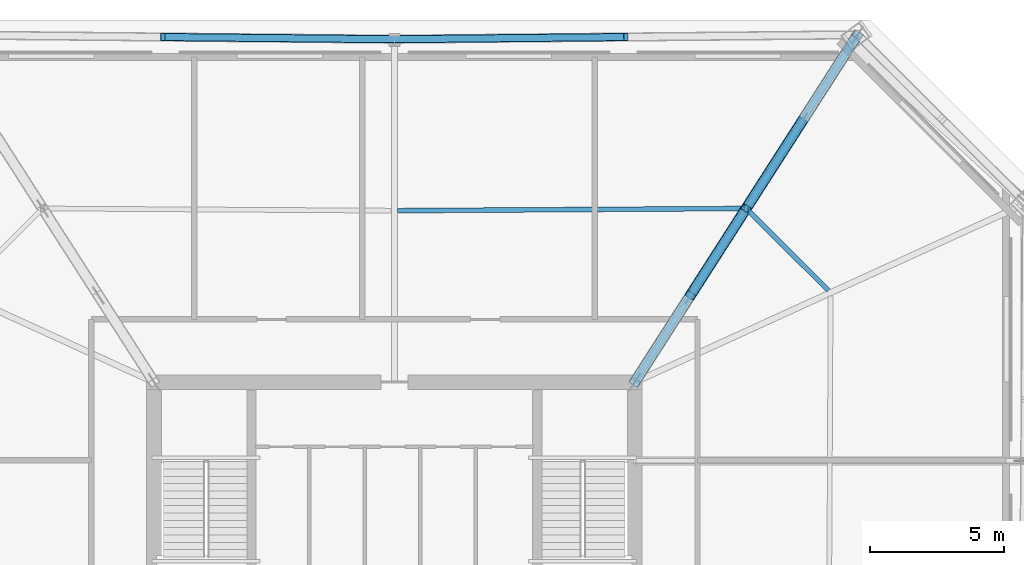
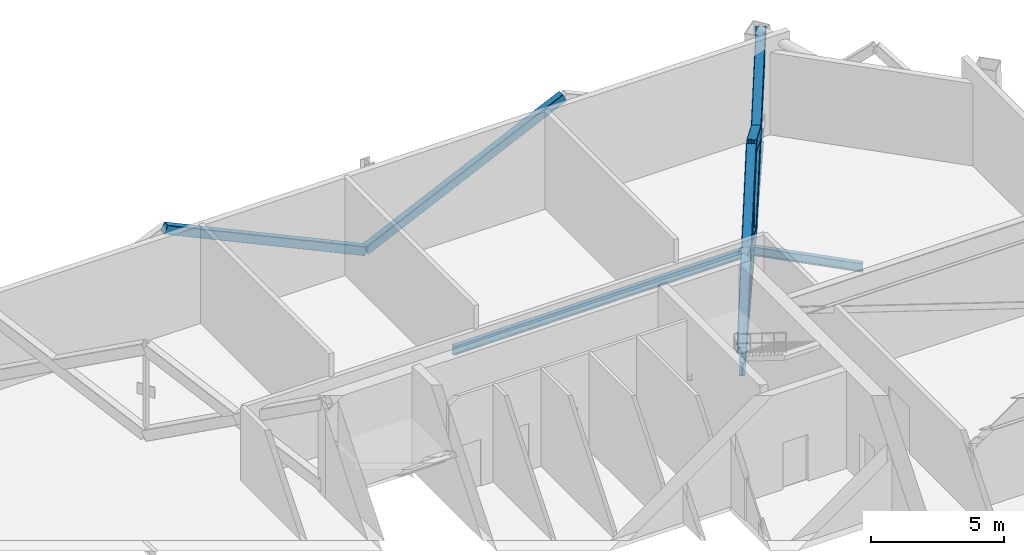
# One storey, part 8 of 15: 7 members, 3 beams.
"""IFC4 building model written with IfcOpenShell, lengths in metres."""

import ifcopenshell
import ifcopenshell.guid

model = None  # the IFC model being written
_history = None  # IfcOwnerHistory: only IFC2X3 demands one
_inside = {}  # id of a spatial element -> (the spatial element, [elements in it])
_under = {}  # id of a project, library or spatial element -> (it, [spatial elements below it])
_declared = {}  # id of a project -> (the project, [libraries it declares])
_typed = {}  # id of a type object -> (the type object, [elements of that type])
_made_of = {}  # id of a material, layer set ... -> (it, [elements and type objects made of it])


def new_model(schema):
    """Start an empty IFC model of exactly this schema.

    Asked for "IFC4X3", IfcOpenShell would pick the latest addendum, in which some entities
    have other attributes; the version numbers below select the first issue.
    IFC2X3 requires an IfcOwnerHistory on every rooted entity: one is made here for all.
    """
    global model, _history
    if schema == "IFC4X3":
        model = ifcopenshell.file(schema_version=(4, 3, 0, 0))
    else:
        model = ifcopenshell.file(schema=schema)
    _inside.clear()
    _under.clear()
    _declared.clear()
    _typed.clear()
    _made_of.clear()
    _history = None
    if model.schema == "IFC2X3":
        org = make("IfcOrganization", Name="unknown")
        user = make(
            "IfcPersonAndOrganization",
            ThePerson=make("IfcPerson", FamilyName="unknown"),
            TheOrganization=org,
        )
        app = make(
            "IfcApplication",
            ApplicationDeveloper=org,
            Version="unknown",
            ApplicationFullName="unknown",
            ApplicationIdentifier="unknown",
        )
        _history = make(
            "IfcOwnerHistory",
            OwningUser=user,
            OwningApplication=app,
            ChangeAction="ADDED",
            CreationDate=0,
        )
    return model


def make(cls, **values):
    """One entity of the class cls with the attributes given. An attribute that is None is left unset."""
    return model.create_entity(
        cls, **{name: value for name, value in values.items() if value is not None}
    )


def rooted(cls, **values):
    """An entity with a GlobalId (a new one), such as an element, a storey or a relation."""
    return make(cls, GlobalId=ifcopenshell.guid.new(), OwnerHistory=_history, **values)


def si_unit(unit_type, name, prefix=None):
    """IfcSIUnit, for example si_unit("LENGTHUNIT", "METRE", prefix="MILLI")."""
    return make("IfcSIUnit", UnitType=unit_type, Prefix=prefix, Name=name)


def assignment(units):
    """IfcUnitAssignment: the units of a project."""
    return None if units is None else make("IfcUnitAssignment", Units=units)


def point(xyz):
    """IfcCartesianPoint."""
    return None if xyz is None else make("IfcCartesianPoint", Coordinates=xyz)


def direction(xyz):
    """IfcDirection."""
    return None if xyz is None else make("IfcDirection", DirectionRatios=xyz)


def frame(location, z_axis=None, x_axis=None):
    """IfcAxis2Placement3D, a coordinate frame: its origin and axes. An axis left out is left unset."""
    return make(
        "IfcAxis2Placement3D",
        Location=point(location),
        Axis=direction(z_axis),
        RefDirection=direction(x_axis),
    )


def frame_2d(location, x_axis=None):
    """IfcAxis2Placement2D, a coordinate frame in the plane: its origin and x axis."""
    return make(
        "IfcAxis2Placement2D", Location=point(location), RefDirection=direction(x_axis)
    )


def origin():
    """The frame at (0, 0, 0) with its axes left unset."""
    return frame((0.0, 0.0, 0.0))


def origin_2d():
    """The frame at (0, 0) in the plane with its x axis left unset."""
    return frame_2d((0.0, 0.0))


def place(relative_to, where):
    """IfcLocalPlacement: puts the frame where relative to a parent placement (None: the world)."""
    return make(
        "IfcLocalPlacement", PlacementRelTo=relative_to, RelativePlacement=where
    )


def context(
    kind, dimensions, precision=None, world=None, true_north=None, identifier=None
):
    """IfcGeometricRepresentationContext, for example the 3D "Model" context."""
    return make(
        "IfcGeometricRepresentationContext",
        ContextIdentifier=identifier,
        ContextType=kind,
        CoordinateSpaceDimension=dimensions,
        Precision=precision,
        WorldCoordinateSystem=world,
        TrueNorth=true_north,
    )


def subcontext(parent, identifier, kind, view, scale=None):
    """IfcGeometricRepresentationSubContext, for example "Body" below "Model"."""
    return make(
        "IfcGeometricRepresentationSubContext",
        ContextIdentifier=identifier,
        ContextType=kind,
        ParentContext=parent,
        TargetScale=scale,
        TargetView=view,
    )


def project(units=None, contexts=None):
    """IfcProject with its units and contexts."""
    return rooted(
        "IfcProject",
        Name="project",
        RepresentationContexts=contexts,
        UnitsInContext=assignment(units),
    )


def spatial(cls, under=None, at=None, **own):
    """A site, building, storey or space (cls), placed at a placement, below another one or the project."""
    s = rooted(cls, ObjectPlacement=at, **own)
    if under is not None:
        _under.setdefault(under.id(), (under, []))[1].append(s)
    return s


def profile(cls, at=None, kind="AREA", **sizes):
    """A parametric profile (cls). Its sizes go by their IFC names, for example OverallWidth=200.0."""
    return make(cls, ProfileType=kind, Position=at, **sizes)


def hollow_rectangle(**sizes):
    """IfcRectangleHollowProfileDef."""
    return profile("IfcRectangleHollowProfileDef", **sizes)


def i_section(**sizes):
    """IfcIShapeProfileDef."""
    return profile("IfcIShapeProfileDef", **sizes)


def extrude(swept, where, along, depth):
    """IfcExtrudedAreaSolid: the profile swept, set in the frame where, extruded along a direction by depth."""
    return make(
        "IfcExtrudedAreaSolid",
        SweptArea=swept,
        Position=where,
        ExtrudedDirection=direction(along),
        Depth=depth,
    )


def shape(context_of_items, identifier, shape_type, items):
    """IfcShapeRepresentation: the items that make up one representation, for example the "Body"."""
    return make(
        "IfcShapeRepresentation",
        ContextOfItems=context_of_items,
        RepresentationIdentifier=identifier,
        RepresentationType=shape_type,
        Items=items,
    )


def material(Name=None, Category=None):
    """IfcMaterial."""
    return make("IfcMaterial", Name=Name, Category=Category)


def material_profile(
    of_material, cross_section, Name=None, Category=None, Priority=None
):
    """IfcMaterialProfile: a cross section and its material."""
    return make(
        "IfcMaterialProfile",
        Name=Name,
        Material=of_material,
        Profile=cross_section,
        Priority=Priority,
        Category=Category,
    )


def profile_set(profiles, Name=None, composite=None):
    """IfcMaterialProfileSet."""
    return make(
        "IfcMaterialProfileSet",
        Name=Name,
        MaterialProfiles=profiles,
        CompositeProfile=composite,
    )


def made_of(thing, what):
    """Note that an element or type object is made of a material, layer set ...; save() writes the relation."""
    if what is not None:
        _made_of.setdefault(what.id(), (what, []))[1].append(thing)
    return thing


def type_object(cls, material=None, **own):
    """A type object (cls), such as IfcWallType, which elements share."""
    return made_of(rooted(cls, **own), material)


def element(
    cls,
    number,
    at=None,
    inside=None,
    cuts=None,
    type_object=None,
    material=None,
    context=None,
    identifier="Body",
    shape_type=None,
    held_by="IfcProductDefinitionShape",
    body=None,
    shapes=None,
    **own,
):
    """One element of the class cls, such as IfcWall. Its Tag is "e" and its number.

    at: its placement. inside: the storey or other place that contains it. cuts: it is an
    opening in that element (IfcRelVoidsElement). A single representation is given by context,
    identifier, shape_type and body (its items); several are given by shapes. held_by: the class
    of the entity that holds the representations. save() writes the other relations.
    """
    e = rooted(cls, Tag="e%d" % number, ObjectPlacement=at, **own)
    if body is not None:
        shapes = [shape(context, identifier, shape_type, body)]
    if shapes is not None:
        e.Representation = make(held_by, Representations=shapes)
    if inside is not None:
        _inside.setdefault(inside.id(), (inside, []))[1].append(e)
    if cuts is not None:
        rooted(
            "IfcRelVoidsElement", RelatingBuildingElement=cuts, RelatedOpeningElement=e
        )
    if type_object is not None:
        _typed.setdefault(type_object.id(), (type_object, []))[1].append(e)
    return made_of(e, material)


def aggregate(whole, parts):
    """IfcRelAggregates: a whole, such as a stair, and the parts it consists of."""
    return rooted("IfcRelAggregates", RelatingObject=whole, RelatedObjects=parts)


def save(model, path):
    """Write the relations noted so far, then the file.

    IfcRelAggregates (storeys below a building ...), IfcRelContainedInSpatialStructure (elements
    in a storey), IfcRelDefinesByType, IfcRelAssociatesMaterial and IfcRelDeclares: one each for
    every whole, place, type object, material and project.
    """
    for whole, parts in _under.values():
        aggregate(whole, parts)
    for where, things in _inside.values():
        rooted(
            "IfcRelContainedInSpatialStructure",
            RelatedElements=things,
            RelatingStructure=where,
        )
    for kind, things in _typed.values():
        rooted("IfcRelDefinesByType", RelatedObjects=things, RelatingType=kind)
    for what, things in _made_of.values():
        rooted("IfcRelAssociatesMaterial", RelatedObjects=things, RelatingMaterial=what)
    for by, libraries in _declared.values():
        rooted("IfcRelDeclares", RelatingContext=by, RelatedDefinitions=libraries)
    model.write(path)


model = new_model("IFC4")

# Units and contexts
model_context = context("Model", 3, precision=1e-05, world=origin(), true_north=direction((0.0, 1.0)))
body_context = subcontext(model_context, "Body", "Model", "MODEL_VIEW")
ifc_project = project(units=[si_unit("LENGTHUNIT", "METRE"), si_unit("AREAUNIT", "SQUARE_METRE"), si_unit("VOLUMEUNIT", "CUBIC_METRE"), si_unit("PLANEANGLEUNIT", "RADIAN"), si_unit("MASSUNIT", "GRAM", prefix="KILO")], contexts=[model_context])

# Site, building, storey
site_placement = place(None, origin())
site = spatial("IfcSite", under=ifc_project, at=site_placement, CompositionType="ELEMENT")
building_placement = place(site_placement, origin())
building = spatial("IfcBuilding", under=site, at=building_placement, Name="Caelvoria Tower", CompositionType="ELEMENT")
storey_placement = place(building_placement, frame((0.0, 0.0, 167.199951171875)))
storey = spatial("IfcBuildingStorey", under=building, at=storey_placement, Name="L44", CompositionType="ELEMENT", Elevation=167.199951171875)

# Members
ifc_material_1 = material(Name="Structural Steel ASTM A572 Gr.50", Category="steel")
ifc_material_profile_1 = material_profile(ifc_material_1, hollow_rectangle(XDim=0.300048828125, YDim=0.39990234375, WallThickness=0.01611328125, InnerFilletRadius=0.01611328125, OuterFilletRadius=0.031982421875, at=origin_2d()), Name="Structural Steel ASTM A572 Gr.50")
ifc_profile_set_1 = profile_set([ifc_material_profile_1], Name="HSS400X300X16 - Structural Steel ASTM A572 Gr.50")
member_type_1 = type_object("IfcMemberType", Name="Belt Truss Diagonal HSS400X300X16", PredefinedType="BRACE", material=ifc_profile_set_1)
for number, where, z_axis, x_axis, name in (
    (1, (54.6708984375, 52.92236328125, 4.22998046875), (-0.908799889126, -0.008623312384, -0.417143140909), (0.00948825403, -0.999954985505, 0.0), "Belt Truss Diagonal L44-06B"),
    (2, (46.0, 52.840087890625, 0.25), (-0.908799889126, 0.008623312384, 0.417143140909), (-0.00948825403, -0.999954985505, 0.0), "Belt Truss Diagonal L44-07A"),
):
    element("IfcMember", number, at=place(storey_placement, frame(where, z_axis=z_axis, x_axis=x_axis)), inside=storey, type_object=member_type_1, Name=name, PredefinedType="BRACE", context=body_context, shape_type="SweptSolid", body=[
        extrude(hollow_rectangle(XDim=0.300048828125, YDim=0.39990234375, WallThickness=0.01611328125, InnerFilletRadius=0.01611328125, OuterFilletRadius=0.031982421875, at=origin_2d()), origin(), (0.0, 0.0, 1.0), 9.541015625),
    ])
ifc_material_profile_2 = material_profile(ifc_material_1, hollow_rectangle(XDim=0.39990234375, YDim=0.5, WallThickness=0.02197265625, InnerFilletRadius=0.02197265625, OuterFilletRadius=0.0439453125, at=origin_2d()), Name="Structural Steel ASTM A572 Gr.50")
ifc_profile_set_2 = profile_set([ifc_material_profile_2], Name="HSS500X400X22 - Structural Steel ASTM A572 Gr.50")
member_type_2 = type_object("IfcMemberType", Name="Outrigger Diagonal HSS500X400X22", PredefinedType="BRACE", material=ifc_profile_set_2)
member_1_placement = place(storey_placement, frame((55.0, 40.0, 0.25), z_axis=(0.479958044206, 0.748255827054, 0.457988529422), x_axis=(-0.841722265045, 0.539910759782, 0.0)))
element("IfcMember", 3, at=member_1_placement, inside=storey, type_object=member_type_2, Name="Outrigger Truss Diagonal L44-NE-1A", PredefinedType="BRACE", context=body_context, shape_type="SweptSolid", body=[
    extrude(hollow_rectangle(XDim=0.39990234375, YDim=0.5, WallThickness=0.02197265625, InnerFilletRadius=0.02197265625, OuterFilletRadius=0.0439453125, at=origin_2d()), origin(), (0.0, 0.0, 1.0), 8.690185546875),
])
member_2_placement = place(storey_placement, frame((57.08544921875, 43.251220703125, 2.239990234375), z_axis=(0.479958044206, 0.748255827054, -0.457988529422), x_axis=(-0.841722265045, 0.539910759782, 0.0)))
element("IfcMember", 4, at=member_2_placement, inside=storey, type_object=member_type_2, Name="Outrigger Truss Diagonal L44-NE-1B2", PredefinedType="BRACE", context=body_context, shape_type="SweptSolid", body=[
    extrude(hollow_rectangle(XDim=0.39990234375, YDim=0.5, WallThickness=0.02197265625, InnerFilletRadius=0.02197265625, OuterFilletRadius=0.0439453125, at=origin_2d()), origin(), (0.0, 0.0, 1.0), 4.344970703125),
])
member_3_placement = place(storey_placement, frame((59.1708984375, 46.50244140625, 0.25), z_axis=(0.479936421488, 0.748265916403, 0.457994704859), x_axis=(-0.841736627266, 0.539888368386, 0.0)))
element("IfcMember", 5, at=member_3_placement, inside=storey, type_object=member_type_2, Name="Outrigger Truss Diagonal L44-NE-2A", PredefinedType="BRACE", context=body_context, shape_type="SweptSolid", body=[
    extrude(hollow_rectangle(XDim=0.39990234375, YDim=0.5, WallThickness=0.02197265625, InnerFilletRadius=0.02197265625, OuterFilletRadius=0.0439453125, at=origin_2d()), origin(), (0.0, 0.0, 1.0), 8.68994140625),
])
member_4_placement = place(storey_placement, frame((59.1708984375, 46.50244140625, 4.22998046875), z_axis=(0.479914797896, 0.74827600557, -0.458000880183), x_axis=(-0.841750989382, 0.539865975844, 0.0)))
element("IfcMember", 6, at=member_4_placement, inside=storey, type_object=member_type_2, Name="Outrigger Truss Diagonal L44-NE-2B1", PredefinedType="BRACE", context=body_context, shape_type="SweptSolid", body=[
    extrude(hollow_rectangle(XDim=0.39990234375, YDim=0.5, WallThickness=0.02197265625, InnerFilletRadius=0.02197265625, OuterFilletRadius=0.0439453125, at=origin_2d()), origin(), (0.0, 0.0, 1.0), 4.344970703125),
])

# Beams
ifc_material_2 = material(Name="Structural Steel ASTM A992 Gr.50", Category="steel")
ifc_material_profile_3 = material_profile(ifc_material_2, i_section(OverallWidth=0.22802734375, OverallDepth=0.60302734375, WebThickness=0.010498046875, FlangeThickness=0.014892578125, FilletRadius=0.01806640625, at=origin_2d()), Name="Structural Steel ASTM A992 Gr.50")
ifc_profile_set_3 = profile_set([ifc_material_profile_3], Name="W610X101 - Structural Steel ASTM A992 Gr.50")
beam_type_1 = type_object("IfcBeamType", Name="Primary Floor Girder W610X101", PredefinedType="BEAM", material=ifc_profile_set_3)
beam_1_placement = place(storey_placement, frame((55.0, 40.0, -0.621337890625), z_axis=(0.539899564227, 0.841729446169, 0.0), x_axis=(-0.841729446169, 0.539899564227, 0.0)))
element("IfcBeam", 7, at=beam_1_placement, inside=storey, type_object=beam_type_1, Name="Primary Floor Girder L44-06", PredefinedType="BEAM", context=body_context, shape_type="SweptSolid", body=[
    extrude(i_section(OverallWidth=0.22802734375, OverallDepth=0.60302734375, WebThickness=0.010498046875, FlangeThickness=0.014892578125, FilletRadius=0.01806640625, at=origin_2d()), origin(), (0.0, 0.0, 1.0), 15.4501953125),
])
ifc_material_profile_4 = material_profile(ifc_material_2, i_section(OverallWidth=0.177978515625, OverallDepth=0.406982421875, WebThickness=0.0078125, FlangeThickness=0.0126953125, FilletRadius=0.013916015625, at=origin_2d()), Name="Structural Steel ASTM A992 Gr.50")
ifc_profile_set_4 = profile_set([ifc_material_profile_4], Name="W410X60 - Structural Steel ASTM A992 Gr.50")
beam_type_2 = type_object("IfcBeamType", Name="Secondary Floor Beam W410X60", PredefinedType="BEAM", material=ifc_profile_set_4)
beam_2_placement = place(storey_placement, frame((62.24560546875, 43.438232421875, -0.5234375), z_axis=(-0.708321788303, 0.705889682751, 0.0), x_axis=(-0.705889682751, -0.708321788303, 0.0)))
element("IfcBeam", 8, at=beam_2_placement, inside=storey, type_object=beam_type_2, Name="Secondary Floor Beam L44-05", PredefinedType="BEAM", context=body_context, shape_type="SweptSolid", body=[
    extrude(i_section(OverallWidth=0.177978515625, OverallDepth=0.406982421875, WebThickness=0.0078125, FlangeThickness=0.0126953125, FilletRadius=0.013916015625, at=origin_2d()), origin(), (0.0, 0.0, 1.0), 4.216064453125),
])
beam_3_placement = place(storey_placement, frame((59.0458984375, 46.501708984375, -0.5234375), z_axis=(-0.999980442744, -0.006254129063, 0.0), x_axis=(0.006254129063, -0.999980442744, 0.0)))
element("IfcBeam", 9, at=beam_3_placement, inside=storey, type_object=beam_type_2, Name="Secondary Floor Beam L44-06", PredefinedType="BEAM", context=body_context, shape_type="SweptSolid", body=[
    extrude(i_section(OverallWidth=0.177978515625, OverallDepth=0.406982421875, WebThickness=0.0078125, FlangeThickness=0.0126953125, FilletRadius=0.013916015625, at=origin_2d()), origin(), (0.0, 0.0, 1.0), 12.921142578125),
])

# Member
ifc_material_profile_5 = material_profile(ifc_material_1, hollow_rectangle(XDim=0.14990234375, YDim=0.25, WallThickness=0.010009765625, InnerFilletRadius=0.010009765625, OuterFilletRadius=0.02001953125, at=origin_2d()), Name="Structural Steel ASTM A572 Gr.50")
ifc_profile_set_5 = profile_set([ifc_material_profile_5], Name="HSS250X150X10 - Structural Steel ASTM A572 Gr.50")
member_type_3 = type_object("IfcMemberType", Name="Sky Pool Truss Post HSS250X150X10", PredefinedType="POST", material=ifc_profile_set_5)
member_5_placement = place(storey_placement, frame((59.1708984375, 46.50244140625, 0.0), z_axis=(0.0, 0.0, 1.0), x_axis=(1.0, 0.0, 0.0)))
element("IfcMember", 10, at=member_5_placement, inside=storey, type_object=member_type_3, Name="Outrigger Mid-Panel Post L44-NE", PredefinedType="POST", context=body_context, shape_type="SweptSolid", body=[
    extrude(hollow_rectangle(XDim=0.14990234375, YDim=0.25, WallThickness=0.010009765625, InnerFilletRadius=0.010009765625, OuterFilletRadius=0.02001953125, at=origin_2d()), origin(), (0.0, 0.0, 1.0), 4.47998046875),
])

save(model, "model.ifc")
